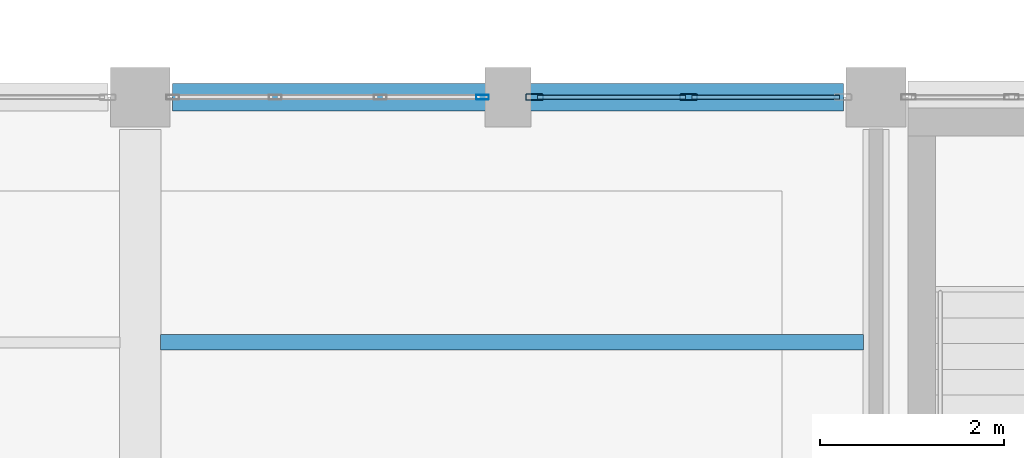
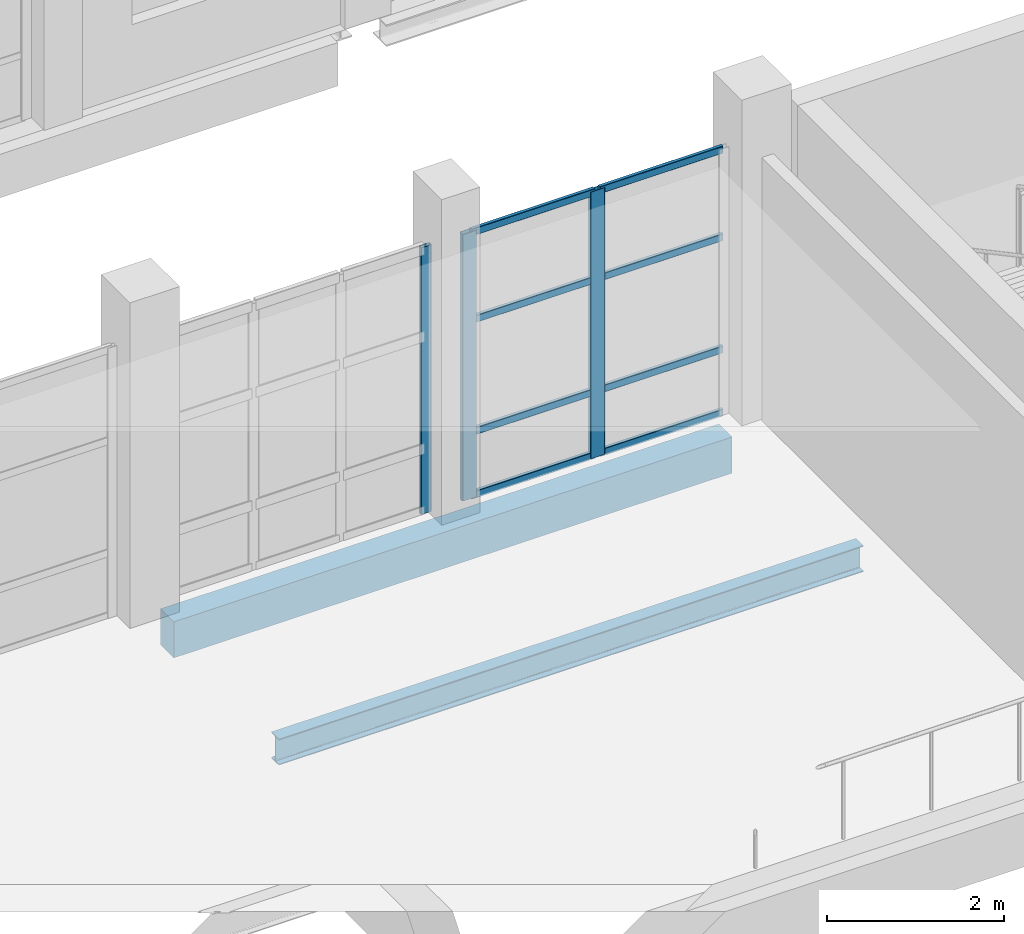
# One storey, part 25 of 183: 11 members, 2 beams, 2 elements without a shape of their own.
"""IFC4 building model written with IfcOpenShell, lengths in metres."""

from ifc_helpers import new_model, si_unit, direction, frame, origin, origin_2d, place, context, subcontext, project, spatial, rectangle, hollow_rectangle, i_section, extrude, material, material_profile, profile_set, type_object, element, aggregate, save


model = new_model("IFC4")

# Units and contexts
model_context = context("Model", 3, precision=1e-05, world=origin(), true_north=direction((0.0, 1.0)))
body_context = subcontext(model_context, "Body", "Model", "MODEL_VIEW")
ifc_project = project(units=[si_unit("LENGTHUNIT", "METRE"), si_unit("AREAUNIT", "SQUARE_METRE"), si_unit("VOLUMEUNIT", "CUBIC_METRE"), si_unit("PLANEANGLEUNIT", "RADIAN"), si_unit("MASSUNIT", "GRAM", prefix="KILO")], contexts=[model_context])

# Site, building, storey
site_placement = place(None, origin())
site = spatial("IfcSite", under=ifc_project, at=site_placement, CompositionType="ELEMENT")
building_placement = place(site_placement, origin())
building = spatial("IfcBuilding", under=site, at=building_placement, Name="Luwemba Playhouse", CompositionType="ELEMENT")
storey_placement = place(building_placement, frame((0.0, 0.0, 4.800048828125)))
storey = spatial("IfcBuildingStorey", under=building, at=storey_placement, Name="L01", CompositionType="ELEMENT", Elevation=4.800048828125)

# Beams
ifc_material_1 = material(Name="Steel S355", Category="steel")
ifc_material_profile_1 = material_profile(ifc_material_1, i_section(OverallWidth=0.169921875, OverallDepth=0.360107421875, WebThickness=0.008056640625, FlangeThickness=0.0126953125, FilletRadius=0.01806640625, at=origin_2d()))
ifc_profile_set_1 = profile_set([ifc_material_profile_1], Name="Steel S355")
beam_type_1 = type_object("IfcBeamType", Name="BM-SJ07", PredefinedType="JOIST", material=ifc_profile_set_1)
beam_1_placement = place(storey_placement, frame((28.220947265625, 24.333251953125, -0.429931640625), z_axis=(1.0, 0.0, 0.0), x_axis=(0.0, 1.0, 0.0)))
element("IfcBeam", 1, at=beam_1_placement, inside=storey, type_object=beam_type_1, Name="L01 composite floor joist 0290", PredefinedType="JOIST", context=body_context, shape_type="SweptSolid", body=[
    extrude(i_section(OverallWidth=0.169921875, OverallDepth=0.360107421875, WebThickness=0.008056640625, FlangeThickness=0.0126953125, FilletRadius=0.01806640625, at=origin_2d()), origin(), (0.0, 0.0, 1.0), 7.64306640625),
])
ifc_material_2 = material(Name="Concrete C40/50", Category="concrete")
ifc_material_profile_2 = material_profile(ifc_material_2, rectangle(XDim=0.300048828125, YDim=0.5, at=origin_2d()))
ifc_profile_set_2 = profile_set([ifc_material_profile_2], Name="Concrete C40/50")
beam_type_2 = type_object("IfcBeamType", Name="BM-SP1", PredefinedType="SPANDREL", material=ifc_profile_set_2)
beam_2_placement = place(storey_placement, frame((28.35009765625, 27.0, -0.5), z_axis=(1.0, 0.0, 0.0), x_axis=(0.0, 1.0, 0.0)))
element("IfcBeam", 2, at=beam_2_placement, inside=storey, type_object=beam_type_2, Name="L01 grid girder 0492", PredefinedType="SPANDREL", context=body_context, shape_type="SweptSolid", body=[
    extrude(rectangle(XDim=0.300048828125, YDim=0.5, at=origin_2d()), origin(), (0.0, 0.0, 1.0), 7.2998046875),
])

# Curtain wall, member
ifc_material_3 = material(Name="Solar-control double glazing", Category="glass")
curtain_wall_type_1 = type_object("IfcCurtainWallType", Name="CW-CW97", PredefinedType="USERDEFINED", material=ifc_material_3)
curtain_wall_1_placement = place(storey_placement, origin())
curtain_wall_1 = element("IfcCurtainWall", 3, at=curtain_wall_1_placement, inside=storey, type_object=curtain_wall_type_1, Name="L01 V5W unitised curtain wall 128", ObjectType="UNITISED GLAZING", PredefinedType="USERDEFINED")
ifc_material_4 = material(Name="Aluminium 6063-T6", Category="aluminium")
ifc_material_profile_3 = material_profile(ifc_material_4, hollow_rectangle(XDim=0.054931640625, YDim=0.139892578125, WallThickness=0.00390625, InnerFilletRadius=0.006103515625, OuterFilletRadius=0.010009765625, at=origin_2d()))
ifc_profile_set_3 = profile_set([ifc_material_profile_3], Name="Aluminium 6063-T6")
member_type_1 = type_object("IfcMemberType", Name="CWM-M3", PredefinedType="MULLION", material=ifc_profile_set_3)
member_1_placement = place(storey_placement, frame((31.722412109375, 27.0, 0.0), z_axis=(0.0, 0.0, 1.0), x_axis=(0.0, 1.0, 0.0)))
member_1 = element("IfcMember", 4, at=member_1_placement, type_object=member_type_1, Name="CW97 mullion 4", PredefinedType="MULLION", context=body_context, shape_type="SweptSolid", body=[
    extrude(hollow_rectangle(XDim=0.054931640625, YDim=0.139892578125, WallThickness=0.00390625, InnerFilletRadius=0.006103515625, OuterFilletRadius=0.010009765625, at=origin_2d()), origin(), (0.0, 0.0, 1.0), 3.68505859375),
])
aggregate(curtain_wall_1, [member_1])

# Curtain wall, members
curtain_wall_type_2 = type_object("IfcCurtainWallType", Name="CW-CW98", PredefinedType="USERDEFINED", material=ifc_material_3)
curtain_wall_2_placement = place(storey_placement, origin())
curtain_wall_2 = element("IfcCurtainWall", 5, at=curtain_wall_2_placement, inside=storey, type_object=curtain_wall_type_2, Name="L01 V5W unitised curtain wall 129", ObjectType="UNITISED GLAZING", PredefinedType="USERDEFINED")
ifc_material_profile_4 = material_profile(ifc_material_4, hollow_rectangle(XDim=0.070068359375, YDim=0.18994140625, WallThickness=0.0048828125, InnerFilletRadius=0.007568359375, OuterFilletRadius=0.012451171875, at=origin_2d()))
ifc_profile_set_4 = profile_set([ifc_material_profile_4], Name="Aluminium 6063-T6")
member_type_2 = type_object("IfcMemberType", Name="CWM-M4", PredefinedType="MULLION", material=ifc_profile_set_4)
member_2_placement = place(storey_placement, frame((32.284912109375, 27.0, 0.0), z_axis=(0.0, 0.0, 1.0), x_axis=(0.0, 1.0, 0.0)))
member_2 = element("IfcMember", 6, at=member_2_placement, type_object=member_type_2, Name="CW98 mullion 1", PredefinedType="MULLION", context=body_context, shape_type="SweptSolid", body=[
    extrude(hollow_rectangle(XDim=0.070068359375, YDim=0.18994140625, WallThickness=0.0048828125, InnerFilletRadius=0.007568359375, OuterFilletRadius=0.012451171875, at=origin_2d()), origin(), (0.0, 0.0, 1.0), 3.68505859375),
])
member_3_placement = place(storey_placement, frame((33.96240234375, 27.0, 0.0), z_axis=(0.0, 0.0, 1.0), x_axis=(0.0, 1.0, 0.0)))
member_3 = element("IfcMember", 7, at=member_3_placement, type_object=member_type_2, Name="CW98 mullion 2", PredefinedType="MULLION", context=body_context, shape_type="SweptSolid", body=[
    extrude(hollow_rectangle(XDim=0.070068359375, YDim=0.18994140625, WallThickness=0.0048828125, InnerFilletRadius=0.007568359375, OuterFilletRadius=0.012451171875, at=origin_2d()), origin(), (0.0, 0.0, 1.0), 3.68505859375),
])
ifc_material_profile_5 = material_profile(ifc_material_4, hollow_rectangle(XDim=0.050048828125, YDim=0.10009765625, WallThickness=0.00341796875, InnerFilletRadius=0.00537109375, OuterFilletRadius=0.0087890625, at=origin_2d()))
ifc_profile_set_5 = profile_set([ifc_material_profile_5], Name="Aluminium 6063-T6")
member_type_3 = type_object("IfcMemberType", Name="CWT-T4", PredefinedType="USERDEFINED", material=ifc_profile_set_5)
member_4_placement = place(storey_placement, frame((32.320068359375, 27.0, 0.02490234375), z_axis=(1.0, 0.0, 0.0), x_axis=(0.0, 1.0, 0.0)))
member_4 = element("IfcMember", 8, at=member_4_placement, type_object=member_type_3, Name="CW98 transom 1.1", ObjectType="TRANSOM", PredefinedType="USERDEFINED", context=body_context, shape_type="SweptSolid", body=[
    extrude(hollow_rectangle(XDim=0.050048828125, YDim=0.10009765625, WallThickness=0.00341796875, InnerFilletRadius=0.00537109375, OuterFilletRadius=0.0087890625, at=origin_2d()), origin(), (0.0, 0.0, 1.0), 1.607421875),
])
member_5_placement = place(storey_placement, frame((32.320068359375, 27.0, 0.89990234375), z_axis=(1.0, 0.0, 0.0), x_axis=(0.0, 1.0, 0.0)))
member_5 = element("IfcMember", 9, at=member_5_placement, type_object=member_type_3, Name="CW98 transom 1.2", ObjectType="TRANSOM", PredefinedType="USERDEFINED", context=body_context, shape_type="SweptSolid", body=[
    extrude(hollow_rectangle(XDim=0.050048828125, YDim=0.10009765625, WallThickness=0.00341796875, InnerFilletRadius=0.00537109375, OuterFilletRadius=0.0087890625, at=origin_2d()), origin(), (0.0, 0.0, 1.0), 1.607421875),
])
member_6_placement = place(storey_placement, frame((32.320068359375, 27.0, 2.449951171875), z_axis=(1.0, 0.0, 0.0), x_axis=(0.0, 1.0, 0.0)))
member_6 = element("IfcMember", 10, at=member_6_placement, type_object=member_type_3, Name="CW98 transom 1.3", ObjectType="TRANSOM", PredefinedType="USERDEFINED", context=body_context, shape_type="SweptSolid", body=[
    extrude(hollow_rectangle(XDim=0.050048828125, YDim=0.10009765625, WallThickness=0.00341796875, InnerFilletRadius=0.00537109375, OuterFilletRadius=0.0087890625, at=origin_2d()), origin(), (0.0, 0.0, 1.0), 1.607421875),
])
member_7_placement = place(storey_placement, frame((32.320068359375, 27.0, 3.659912109375), z_axis=(1.0, 0.0, 0.0), x_axis=(0.0, 1.0, 0.0)))
member_7 = element("IfcMember", 11, at=member_7_placement, type_object=member_type_3, Name="CW98 transom 1.4", ObjectType="TRANSOM", PredefinedType="USERDEFINED", context=body_context, shape_type="SweptSolid", body=[
    extrude(hollow_rectangle(XDim=0.050048828125, YDim=0.10009765625, WallThickness=0.00341796875, InnerFilletRadius=0.00537109375, OuterFilletRadius=0.0087890625, at=origin_2d()), origin(), (0.0, 0.0, 1.0), 1.607421875),
])
member_8_placement = place(storey_placement, frame((33.99755859375, 27.0, 0.02490234375), z_axis=(1.0, 0.0, 0.0), x_axis=(0.0, 1.0, 0.0)))
member_8 = element("IfcMember", 12, at=member_8_placement, type_object=member_type_3, Name="CW98 transom 2.1", ObjectType="TRANSOM", PredefinedType="USERDEFINED", context=body_context, shape_type="SweptSolid", body=[
    extrude(hollow_rectangle(XDim=0.050048828125, YDim=0.10009765625, WallThickness=0.00341796875, InnerFilletRadius=0.00537109375, OuterFilletRadius=0.0087890625, at=origin_2d()), origin(), (0.0, 0.0, 1.0), 1.607421875),
])
member_9_placement = place(storey_placement, frame((33.99755859375, 27.0, 0.89990234375), z_axis=(1.0, 0.0, 0.0), x_axis=(0.0, 1.0, 0.0)))
member_9 = element("IfcMember", 13, at=member_9_placement, type_object=member_type_3, Name="CW98 transom 2.2", ObjectType="TRANSOM", PredefinedType="USERDEFINED", context=body_context, shape_type="SweptSolid", body=[
    extrude(hollow_rectangle(XDim=0.050048828125, YDim=0.10009765625, WallThickness=0.00341796875, InnerFilletRadius=0.00537109375, OuterFilletRadius=0.0087890625, at=origin_2d()), origin(), (0.0, 0.0, 1.0), 1.607421875),
])
member_10_placement = place(storey_placement, frame((33.99755859375, 27.0, 2.449951171875), z_axis=(1.0, 0.0, 0.0), x_axis=(0.0, 1.0, 0.0)))
member_10 = element("IfcMember", 14, at=member_10_placement, type_object=member_type_3, Name="CW98 transom 2.3", ObjectType="TRANSOM", PredefinedType="USERDEFINED", context=body_context, shape_type="SweptSolid", body=[
    extrude(hollow_rectangle(XDim=0.050048828125, YDim=0.10009765625, WallThickness=0.00341796875, InnerFilletRadius=0.00537109375, OuterFilletRadius=0.0087890625, at=origin_2d()), origin(), (0.0, 0.0, 1.0), 1.607421875),
])
member_11_placement = place(storey_placement, frame((33.99755859375, 27.0, 3.659912109375), z_axis=(1.0, 0.0, 0.0), x_axis=(0.0, 1.0, 0.0)))
member_11 = element("IfcMember", 15, at=member_11_placement, type_object=member_type_3, Name="CW98 transom 2.4", ObjectType="TRANSOM", PredefinedType="USERDEFINED", context=body_context, shape_type="SweptSolid", body=[
    extrude(hollow_rectangle(XDim=0.050048828125, YDim=0.10009765625, WallThickness=0.00341796875, InnerFilletRadius=0.00537109375, OuterFilletRadius=0.0087890625, at=origin_2d()), origin(), (0.0, 0.0, 1.0), 1.607421875),
])
aggregate(curtain_wall_2, [member_2, member_3, member_4, member_5, member_6, member_7, member_8, member_9, member_10, member_11])

save(model, "model.ifc")
